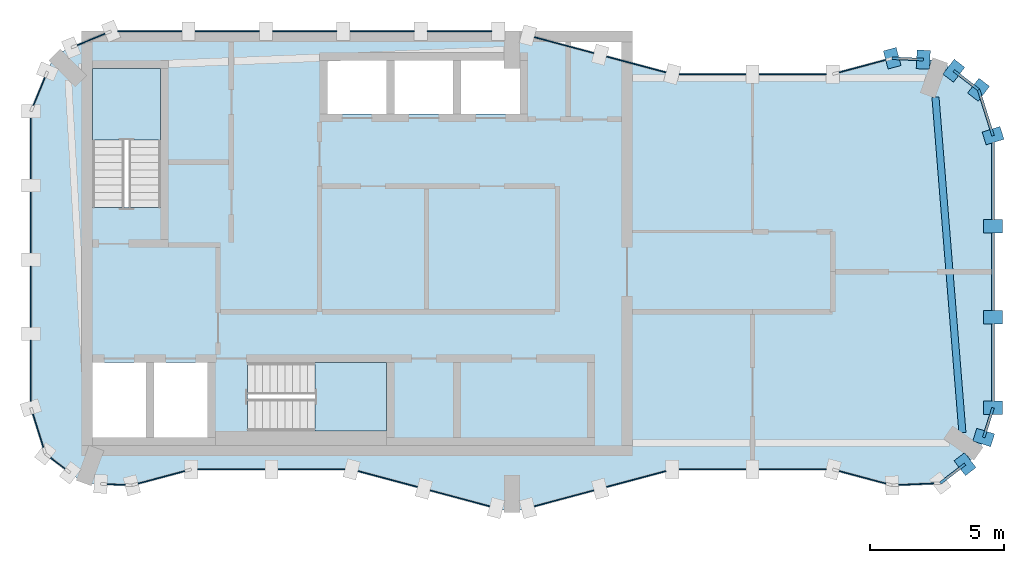
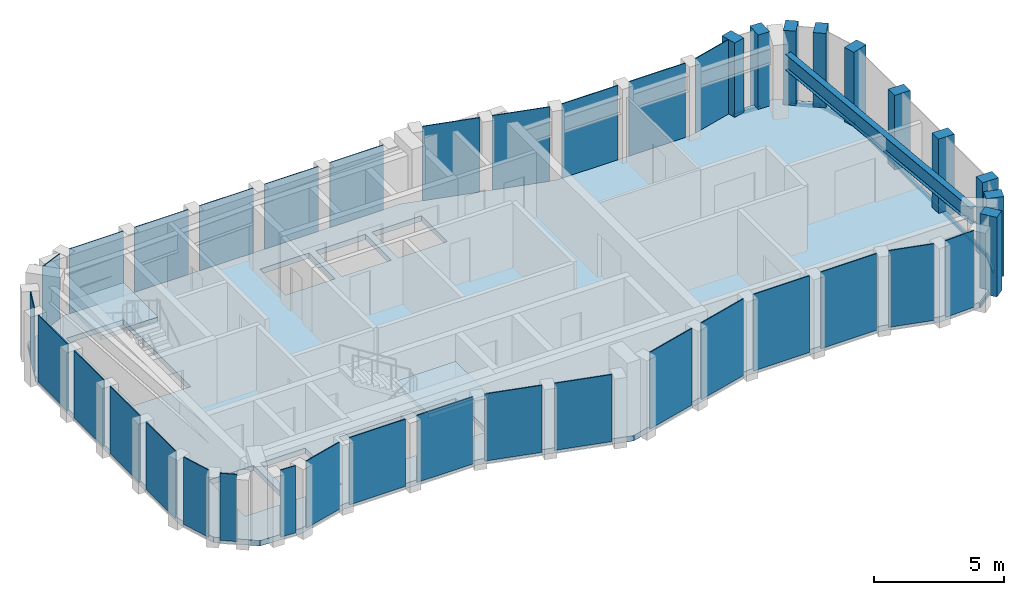
# One storey, part 2 of 5: 30 plates, 16 members, 3 slabs, 1 beam, 25 elements without a shape of their own.
"""IFC4 building model written with IfcOpenShell, lengths in metres."""

from ifc_helpers import new_model, si_unit, direction, frame, origin, origin_2d, place, context, subcontext, project, spatial, polyline, rectangle, i_section, outline, extrude, material, layer, layer_set, material_profile, profile_set, type_object, element, aggregate, save


model = new_model("IFC4")

# Units and contexts
model_context = context("Model", 3, precision=1e-05, world=origin(), true_north=direction((0.0, 1.0)))
body_context = subcontext(model_context, "Body", "Model", "MODEL_VIEW")
ifc_project = project(units=[si_unit("LENGTHUNIT", "METRE"), si_unit("AREAUNIT", "SQUARE_METRE"), si_unit("VOLUMEUNIT", "CUBIC_METRE"), si_unit("PLANEANGLEUNIT", "RADIAN"), si_unit("MASSUNIT", "GRAM", prefix="KILO")], contexts=[model_context])

# Site, building, storey
site_placement = place(None, origin())
site = spatial("IfcSite", under=ifc_project, at=site_placement, CompositionType="ELEMENT")
building_placement = place(site_placement, origin())
building = spatial("IfcBuilding", under=site, at=building_placement, Name="Plateau Cross Towers", CompositionType="ELEMENT")
storey_placement = place(building_placement, frame((0.0, 0.0, 298.39990234375)))
storey = spatial("IfcBuildingStorey", under=building, at=storey_placement, Name="L79 Crown 2", CompositionType="ELEMENT", Elevation=298.39990234375)

# Beam
ifc_material_1 = material(Name="Steel S355", Category="steel")
ifc_material_profile_1 = material_profile(ifc_material_1, i_section(OverallWidth=0.26513671875, OverallDepth=0.75390625, WebThickness=0.0126953125, FlangeThickness=0.017578125, FilletRadius=0.0166015625, at=origin_2d()), Name="UB 762x267x147")
ifc_profile_set_1 = profile_set([ifc_material_profile_1], Name="Steel S355")
beam_type = type_object("IfcBeamType", Name="Crown ring beam UB 762x267x147", PredefinedType="BEAM", material=ifc_profile_set_1)
beam_placement = place(storey_placement, frame((34.85302734375, 2.97802734375, 2.673095703125), z_axis=(-0.080067998508, 0.996789403844, 0.0), x_axis=(-0.996789403844, -0.080067998508, 0.0)))
element("IfcBeam", 1, at=beam_placement, inside=storey, type_object=beam_type, Name="CRB-L79 Crown 2-02", PredefinedType="BEAM", context=body_context, shape_type="SweptSolid", body=[
    extrude(i_section(OverallWidth=0.26513671875, OverallDepth=0.75390625, WebThickness=0.0126953125, FlangeThickness=0.017578125, FilletRadius=0.0166015625, at=origin_2d()), origin(), (0.0, 0.0, 1.0), 12.59619140625),
])

# Curtain wall, member
ifc_material_2 = material(Name="Dark low-iron glass", Category="glass")
ifc_layer_1 = layer(ifc_material_2, 0.800048828125)
ifc_layer_set_1 = layer_set([ifc_layer_1], Name="Dark low-iron glass")
curtain_wall_type = type_object("IfcCurtainWallType", Name="Curtain wall sky lounge CW-D", PredefinedType="NOTDEFINED", material=ifc_layer_set_1)
curtain_wall_1_placement = place(storey_placement, origin())
curtain_wall_1 = element("IfcCurtainWall", 2, at=curtain_wall_1_placement, inside=storey, type_object=curtain_wall_type, Name="ENV/A/L79 Crown 2/A340_11", PredefinedType="NOTDEFINED")
ifc_material_3 = material(Name="Black anodised aluminium", Category="aluminium")
ifc_material_profile_2 = material_profile(ifc_material_3, rectangle(XDim=0.5, YDim=0.699951171875, at=origin_2d()), Name="MULLION 500x700")
ifc_profile_set_2 = profile_set([ifc_material_profile_2], Name="Black anodised aluminium")
member_type_1 = type_object("IfcMemberType", Name="Mullion 500x700 sky lounge", PredefinedType="MULLION", material=ifc_profile_set_2)
member_1_placement = place(storey_placement, frame((34.951416015625, 1.800048828125, -0.25), z_axis=(0.0, 0.0, 1.0), x_axis=(0.793315514529, 0.608810721331, 0.0)))
member_1 = element("IfcMember", 3, at=member_1_placement, type_object=member_type_1, Name="CW-D mullion 2", PredefinedType="MULLION", context=body_context, shape_type="SweptSolid", body=[
    extrude(rectangle(XDim=0.5, YDim=0.699951171875, at=origin_2d()), origin(), (0.0, 0.0, 1.0), 3.75),
])

curtain_wall_2_placement = place(storey_placement, origin())
curtain_wall_2 = element("IfcCurtainWall", 4, at=curtain_wall_2_placement, inside=storey, type_object=curtain_wall_type, Name="ENV/A/L79 Crown 2/A356_28", PredefinedType="NOTDEFINED")
member_2_placement = place(storey_placement, frame((35.6494140625, 2.796875, -0.25), z_axis=(0.0, 0.0, 1.0), x_axis=(0.300686174994, 0.95372313811, 0.0)))
member_2 = element("IfcMember", 5, at=member_2_placement, type_object=member_type_1, Name="CW-D mullion 1", PredefinedType="MULLION", context=body_context, shape_type="SweptSolid", body=[
    extrude(rectangle(XDim=0.5, YDim=0.699951171875, at=origin_2d()), origin(), (0.0, 0.0, 1.0), 3.75),
])

# Curtain wall, members
curtain_wall_3_placement = place(storey_placement, origin())
curtain_wall_3 = element("IfcCurtainWall", 6, at=curtain_wall_3_placement, inside=storey, type_object=curtain_wall_type, Name="ENV/A/L79 Crown 2/A360_39", PredefinedType="NOTDEFINED")
member_3_placement = place(storey_placement, frame((36.0, 3.9091796875, -0.25), z_axis=(0.0, 0.0, 1.0), x_axis=(0.0, 1.0, 0.0)))
member_3 = element("IfcMember", 7, at=member_3_placement, type_object=member_type_1, Name="CW-D mullion 1", PredefinedType="MULLION", context=body_context, shape_type="SweptSolid", body=[
    extrude(rectangle(XDim=0.5, YDim=0.699951171875, at=origin_2d()), origin(), (0.0, 0.0, 1.0), 3.75),
])
member_4_placement = place(storey_placement, frame((36.0, 7.302978515625, -0.25), z_axis=(0.0, 0.0, 1.0), x_axis=(0.0, 1.0, 0.0)))
member_4 = element("IfcMember", 8, at=member_4_placement, type_object=member_type_1, Name="CW-D mullion 2", PredefinedType="MULLION", context=body_context, shape_type="SweptSolid", body=[
    extrude(rectangle(XDim=0.5, YDim=0.699951171875, at=origin_2d()), origin(), (0.0, 0.0, 1.0), 3.75),
])
member_5_placement = place(storey_placement, frame((36.0, 10.697021484375, -0.25), z_axis=(0.0, 0.0, 1.0), x_axis=(0.0, 1.0, 0.0)))
member_5 = element("IfcMember", 9, at=member_5_placement, type_object=member_type_1, Name="CW-D mullion 3", PredefinedType="MULLION", context=body_context, shape_type="SweptSolid", body=[
    extrude(rectangle(XDim=0.5, YDim=0.699951171875, at=origin_2d()), origin(), (0.0, 0.0, 1.0), 3.75),
])

# Curtain wall, member
curtain_wall_4_placement = place(storey_placement, origin())
curtain_wall_4 = element("IfcCurtainWall", 10, at=curtain_wall_4_placement, inside=storey, type_object=curtain_wall_type, Name="ENV/A/L79 Crown 2/A360_141", PredefinedType="NOTDEFINED")
member_6_placement = place(storey_placement, frame((36.0, 14.0908203125, -0.25), z_axis=(0.0, 0.0, 1.0), x_axis=(-0.300686174994, 0.95372313811, 0.0)))
member_6 = element("IfcMember", 11, at=member_6_placement, type_object=member_type_1, Name="CW-D mullion 1", PredefinedType="MULLION", context=body_context, shape_type="SweptSolid", body=[
    extrude(rectangle(XDim=0.5, YDim=0.699951171875, at=origin_2d()), origin(), (0.0, 0.0, 1.0), 3.75),
])

# Curtain wall, members
curtain_wall_5_placement = place(storey_placement, origin())
curtain_wall_5 = element("IfcCurtainWall", 12, at=curtain_wall_5_placement, inside=storey, type_object=curtain_wall_type, Name="ENV/A/L79 Crown 2/A355_158", PredefinedType="NOTDEFINED")
member_7_placement = place(storey_placement, frame((35.45751953125, 15.8115234375, -0.25), z_axis=(0.0, 0.0, 1.0), x_axis=(-0.793315514529, 0.608810721331, 0.0)))
member_7 = element("IfcMember", 13, at=member_7_placement, type_object=member_type_1, Name="CW-D mullion 1", PredefinedType="MULLION", context=body_context, shape_type="SweptSolid", body=[
    extrude(rectangle(XDim=0.5, YDim=0.699951171875, at=origin_2d()), origin(), (0.0, 0.0, 1.0), 3.75),
])
member_8_placement = place(storey_placement, frame((34.532470703125, 16.521484375, -0.25), z_axis=(0.0, 0.0, 1.0), x_axis=(-0.793315514529, 0.608810721331, 0.0)))
member_8 = element("IfcMember", 14, at=member_8_placement, type_object=member_type_1, Name="CW-D mullion 2", PredefinedType="MULLION", context=body_context, shape_type="SweptSolid", body=[
    extrude(rectangle(XDim=0.5, YDim=0.699951171875, at=origin_2d()), origin(), (0.0, 0.0, 1.0), 3.75),
])

# Curtain wall, member
curtain_wall_6_placement = place(storey_placement, origin())
curtain_wall_6 = element("IfcCurtainWall", 15, at=curtain_wall_6_placement, inside=storey, type_object=curtain_wall_type, Name="ENV/A/L79 Crown 2/A334_169", PredefinedType="NOTDEFINED")
member_9_placement = place(storey_placement, frame((33.388916015625, 16.937744140625, -0.25), z_axis=(0.0, 0.0, 1.0), x_axis=(-0.999043701491, 0.043722791671, 0.0)))
member_9 = element("IfcMember", 16, at=member_9_placement, type_object=member_type_1, Name="CW-D mullion 1", PredefinedType="MULLION", context=body_context, shape_type="SweptSolid", body=[
    extrude(rectangle(XDim=0.5, YDim=0.699951171875, at=origin_2d()), origin(), (0.0, 0.0, 1.0), 3.75),
])

curtain_wall_7_placement = place(storey_placement, origin())
curtain_wall_7 = element("IfcCurtainWall", 17, at=curtain_wall_7_placement, inside=storey, type_object=curtain_wall_type, Name="ENV/A/L79 Crown 2/A322_170", PredefinedType="NOTDEFINED")
member_10_placement = place(storey_placement, frame((32.223876953125, 16.98876953125, -0.25), z_axis=(0.0, 0.0, 1.0), x_axis=(-0.965957962328, -0.258699081978, 0.0)))
member_10 = element("IfcMember", 18, at=member_10_placement, type_object=member_type_1, Name="CW-D mullion 1", PredefinedType="MULLION", context=body_context, shape_type="SweptSolid", body=[
    extrude(rectangle(XDim=0.5, YDim=0.699951171875, at=origin_2d()), origin(), (0.0, 0.0, 1.0), 3.75),
])

# Member
ifc_material_profile_3 = material_profile(ifc_material_3, rectangle(XDim=0.10009765625, YDim=0.139892578125, at=origin_2d()), Name="TRANSOM 100x140")
ifc_profile_set_3 = profile_set([ifc_material_profile_3], Name="Black anodised aluminium")
member_type_2 = type_object("IfcMemberType", Name="Transom 100x140 sky lounge", PredefinedType="USERDEFINED", material=ifc_profile_set_3)
member_11_placement = place(storey_placement, frame((34.0263671875, 1.090087890625, -0.179931640625), z_axis=(0.793292864311, 0.608840234736, 0.0), x_axis=(-0.608840234736, 0.793292864311, 0.0)))
member_11 = element("IfcMember", 19, at=member_11_placement, type_object=member_type_2, Name="CW-D transom", ObjectType="TRANSOM", PredefinedType="USERDEFINED", context=body_context, shape_type="SweptSolid", body=[
    extrude(rectangle(XDim=0.10009765625, YDim=0.139892578125, at=origin_2d()), origin(), (0.0, 0.0, 1.0), 1.166015625),
])

aggregate(curtain_wall_1, [member_1, member_11])

member_12_placement = place(storey_placement, frame((35.6494140625, 2.796875, -0.179931640625), z_axis=(0.300610349145, 0.95374704088, 0.0), x_axis=(-0.95374704088, 0.300610349145, 0.0)))
member_12 = element("IfcMember", 20, at=member_12_placement, type_object=member_type_2, Name="CW-D transom", ObjectType="TRANSOM", PredefinedType="USERDEFINED", context=body_context, shape_type="SweptSolid", body=[
    extrude(rectangle(XDim=0.10009765625, YDim=0.139892578125, at=origin_2d()), origin(), (0.0, 0.0, 1.0), 1.166259765625),
])

aggregate(curtain_wall_2, [member_2, member_12])

member_13_placement = place(storey_placement, frame((36.0, 3.9091796875, -0.179931640625), z_axis=(0.0, 1.0, 0.0), x_axis=(-1.0, 0.0, 0.0)))
member_13 = element("IfcMember", 21, at=member_13_placement, type_object=member_type_2, Name="CW-D transom", ObjectType="TRANSOM", PredefinedType="USERDEFINED", context=body_context, shape_type="SweptSolid", body=[
    extrude(rectangle(XDim=0.10009765625, YDim=0.139892578125, at=origin_2d()), origin(), (0.0, 0.0, 1.0), 10.181640625),
])

aggregate(curtain_wall_3, [member_3, member_4, member_5, member_13])

member_14_placement = place(storey_placement, frame((36.0, 14.0908203125, -0.179931640625), z_axis=(-0.30067799945, 0.953725715626, 0.0), x_axis=(-0.953725715626, -0.30067799945, 0.0)))
member_14 = element("IfcMember", 22, at=member_14_placement, type_object=member_type_2, Name="CW-D transom", ObjectType="TRANSOM", PredefinedType="USERDEFINED", context=body_context, shape_type="SweptSolid", body=[
    extrude(rectangle(XDim=0.10009765625, YDim=0.139892578125, at=origin_2d()), origin(), (0.0, 0.0, 1.0), 1.80419921875),
])

aggregate(curtain_wall_4, [member_6, member_14])

member_15_placement = place(storey_placement, frame((35.45751953125, 15.8115234375, -0.179931640625), z_axis=(-0.793292864311, 0.608840234736, 0.0), x_axis=(-0.608840234736, -0.793292864311, 0.0)))
member_15 = element("IfcMember", 23, at=member_15_placement, type_object=member_type_2, Name="CW-D transom", ObjectType="TRANSOM", PredefinedType="USERDEFINED", context=body_context, shape_type="SweptSolid", body=[
    extrude(rectangle(XDim=0.10009765625, YDim=0.139892578125, at=origin_2d()), origin(), (0.0, 0.0, 1.0), 1.166015625),
])

aggregate(curtain_wall_5, [member_7, member_8, member_15])

member_16_placement = place(storey_placement, frame((33.388916015625, 16.937744140625, -0.179931640625), z_axis=(-0.999042282418, 0.043755204741, 0.0), x_axis=(-0.043755204741, -0.999042282418, 0.0)))
member_16 = element("IfcMember", 24, at=member_16_placement, type_object=member_type_2, Name="CW-D transom", ObjectType="TRANSOM", PredefinedType="USERDEFINED", context=body_context, shape_type="SweptSolid", body=[
    extrude(rectangle(XDim=0.10009765625, YDim=0.139892578125, at=origin_2d()), origin(), (0.0, 0.0, 1.0), 1.166259765625),
])

aggregate(curtain_wall_6, [member_9, member_16])

# Curtain wall, plate
curtain_wall_8_placement = place(storey_placement, origin())
curtain_wall_8 = element("IfcCurtainWall", 25, at=curtain_wall_8_placement, inside=storey, type_object=curtain_wall_type, Name="ENV/A/L79 Crown 2/A38_10", PredefinedType="NOTDEFINED")
ifc_layer_2 = layer(ifc_material_2, 0.0400390625)
ifc_layer_set_2 = layer_set([ifc_layer_2], Name="Dark low-iron glass")
plate_type = type_object("IfcPlateType", Name="Glass panel 40 sky lounge", PredefinedType="CURTAIN_PANEL", material=ifc_layer_set_2)
plate_1_placement = place(storey_placement, frame((4.887939453125, 1.30908203125, -0.10986328125), z_axis=(0.0, 0.0, 1.0), x_axis=(0.965957962328, 0.258699081978, 0.0)))
plate_1 = element("IfcPlate", 26, at=plate_1_placement, type_object=plate_type, Name="CW-D panel 1", PredefinedType="CURTAIN_PANEL", context=body_context, shape_type="SweptSolid", body=[
    extrude(rectangle(XDim=1.80224609375, YDim=0.0400390625, at=origin_2d()), origin(), (0.0, 0.0, 1.0), 3.159912109375),
])
aggregate(curtain_wall_8, [plate_1])

# Curtain wall, plates
curtain_wall_9_placement = place(storey_placement, origin())
curtain_wall_9 = element("IfcCurtainWall", 27, at=curtain_wall_9_placement, inside=storey, type_object=curtain_wall_type, Name="ENV/A/L79 Crown 2/A60_16", PredefinedType="NOTDEFINED")
plate_2_placement = place(storey_placement, frame((7.5, 1.60693359375, -0.10986328125), z_axis=(0.0, 0.0, 1.0), x_axis=(1.0, 0.0, 0.0)))
plate_2 = element("IfcPlate", 28, at=plate_2_placement, type_object=plate_type, Name="CW-D panel 1", PredefinedType="CURTAIN_PANEL", context=body_context, shape_type="SweptSolid", body=[
    extrude(rectangle(XDim=2.5, YDim=0.0400390625, at=origin_2d()), origin(), (0.0, 0.0, 1.0), 3.159912109375),
])
plate_3_placement = place(storey_placement, frame((10.5, 1.60693359375, -0.10986328125), z_axis=(0.0, 0.0, 1.0), x_axis=(1.0, 0.0, 0.0)))
plate_3 = element("IfcPlate", 29, at=plate_3_placement, type_object=plate_type, Name="CW-D panel 2", PredefinedType="CURTAIN_PANEL", context=body_context, shape_type="SweptSolid", body=[
    extrude(rectangle(XDim=2.5, YDim=0.0400390625, at=origin_2d()), origin(), (0.0, 0.0, 1.0), 3.159912109375),
])
aggregate(curtain_wall_9, [plate_2, plate_3])

curtain_wall_10_placement = place(storey_placement, origin())
curtain_wall_10 = element("IfcCurtainWall", 30, at=curtain_wall_10_placement, inside=storey, type_object=curtain_wall_type, Name="ENV/A/L79 Crown 2/A120_16", PredefinedType="NOTDEFINED")
plate_4_placement = place(storey_placement, frame((13.350830078125, 1.2451171875, -0.10986328125), z_axis=(0.0, 0.0, 1.0), x_axis=(0.965957983404, -0.258699003279, 0.0)))
plate_4 = element("IfcPlate", 31, at=plate_4_placement, type_object=plate_type, Name="CW-D panel 1", PredefinedType="CURTAIN_PANEL", context=body_context, shape_type="SweptSolid", body=[
    extrude(rectangle(XDim=2.296875, YDim=0.0400390625, at=origin_2d()), origin(), (0.0, 0.0, 1.0), 3.159912109375),
])
plate_5_placement = place(storey_placement, frame((16.05224609375, 0.521728515625, -0.10986328125), z_axis=(0.0, 0.0, 1.0), x_axis=(0.965957983404, -0.258699003279, 0.0)))
plate_5 = element("IfcPlate", 32, at=plate_5_placement, type_object=plate_type, Name="CW-D panel 2", PredefinedType="CURTAIN_PANEL", context=body_context, shape_type="SweptSolid", body=[
    extrude(rectangle(XDim=2.296875, YDim=0.0400390625, at=origin_2d()), origin(), (0.0, 0.0, 1.0), 3.159912109375),
])
aggregate(curtain_wall_10, [plate_4, plate_5])

curtain_wall_11_placement = place(storey_placement, origin())
curtain_wall_11 = element("IfcCurtainWall", 33, at=curtain_wall_11_placement, inside=storey, type_object=curtain_wall_type, Name="ENV/A/L79 Crown 2/A186_2", PredefinedType="NOTDEFINED")
plate_6_placement = place(storey_placement, frame((19.94775390625, 0.521728515625, -0.10986328125), z_axis=(0.0, 0.0, 1.0), x_axis=(0.965957983404, 0.258699003279, 0.0)))
plate_6 = element("IfcPlate", 34, at=plate_6_placement, type_object=plate_type, Name="CW-D panel 1", PredefinedType="CURTAIN_PANEL", context=body_context, shape_type="SweptSolid", body=[
    extrude(rectangle(XDim=2.296875, YDim=0.0400390625, at=origin_2d()), origin(), (0.0, 0.0, 1.0), 3.610107421875),
])
plate_7_placement = place(storey_placement, frame((22.649169921875, 1.2451171875, -0.10986328125), z_axis=(0.0, 0.0, 1.0), x_axis=(0.965957983404, 0.258699003279, 0.0)))
plate_7 = element("IfcPlate", 35, at=plate_7_placement, type_object=plate_type, Name="CW-D panel 2", PredefinedType="CURTAIN_PANEL", context=body_context, shape_type="SweptSolid", body=[
    extrude(rectangle(XDim=2.296875, YDim=0.0400390625, at=origin_2d()), origin(), (0.0, 0.0, 1.0), 3.610107421875),
])
aggregate(curtain_wall_11, [plate_6, plate_7])

curtain_wall_12_placement = place(storey_placement, origin())
curtain_wall_12 = element("IfcCurtainWall", 36, at=curtain_wall_12_placement, inside=storey, type_object=curtain_wall_type, Name="ENV/A/L79 Crown 2/A240_16", PredefinedType="NOTDEFINED")
plate_8_placement = place(storey_placement, frame((25.5, 1.60693359375, -0.10986328125), z_axis=(0.0, 0.0, 1.0), x_axis=(1.0, 0.0, 0.0)))
plate_8 = element("IfcPlate", 37, at=plate_8_placement, type_object=plate_type, Name="CW-D panel 1", PredefinedType="CURTAIN_PANEL", context=body_context, shape_type="SweptSolid", body=[
    extrude(rectangle(XDim=2.5, YDim=0.0400390625, at=origin_2d()), origin(), (0.0, 0.0, 1.0), 3.610107421875),
])
plate_9_placement = place(storey_placement, frame((28.5, 1.60693359375, -0.10986328125), z_axis=(0.0, 0.0, 1.0), x_axis=(1.0, 0.0, 0.0)))
plate_9 = element("IfcPlate", 38, at=plate_9_placement, type_object=plate_type, Name="CW-D panel 2", PredefinedType="CURTAIN_PANEL", context=body_context, shape_type="SweptSolid", body=[
    extrude(rectangle(XDim=2.5, YDim=0.0400390625, at=origin_2d()), origin(), (0.0, 0.0, 1.0), 3.610107421875),
])
aggregate(curtain_wall_12, [plate_8, plate_9])

# Curtain wall, plate
curtain_wall_13_placement = place(storey_placement, origin())
curtain_wall_13 = element("IfcCurtainWall", 39, at=curtain_wall_13_placement, inside=storey, type_object=curtain_wall_type, Name="ENV/A/L79 Crown 2/A300_16", PredefinedType="NOTDEFINED")
plate_10_placement = place(storey_placement, frame((31.112060546875, 1.30908203125, -0.10986328125), z_axis=(0.0, 0.0, 1.0), x_axis=(0.965957962328, -0.258699081978, 0.0)))
plate_10 = element("IfcPlate", 40, at=plate_10_placement, type_object=plate_type, Name="CW-D panel 1", PredefinedType="CURTAIN_PANEL", context=body_context, shape_type="SweptSolid", body=[
    extrude(rectangle(XDim=1.80224609375, YDim=0.0400390625, at=origin_2d()), origin(), (0.0, 0.0, 1.0), 3.610107421875),
])
aggregate(curtain_wall_13, [plate_10])

curtain_wall_14_placement = place(storey_placement, origin())
curtain_wall_14 = element("IfcCurtainWall", 41, at=curtain_wall_14_placement, inside=storey, type_object=curtain_wall_type, Name="ENV/A/L79 Crown 2/A322_10", PredefinedType="NOTDEFINED")
plate_11_placement = place(storey_placement, frame((33.125, 1.05078125, -0.10986328125), z_axis=(0.0, 0.0, 1.0), x_axis=(0.999043701491, 0.043722791671, 0.0)))
plate_11 = element("IfcPlate", 42, at=plate_11_placement, type_object=plate_type, Name="CW-D panel 1", PredefinedType="CURTAIN_PANEL", context=body_context, shape_type="SweptSolid", body=[
    extrude(rectangle(XDim=1.30419921875, YDim=0.0400390625, at=origin_2d()), origin(), (0.0, 0.0, 1.0), 3.610107421875),
])
aggregate(curtain_wall_14, [plate_11])

# Plate
plate_12_placement = place(storey_placement, frame((31.112060546875, 16.69091796875, -0.10986328125), z_axis=(0.0, 0.0, 1.0), x_axis=(-0.965957962328, -0.258699081978, 0.0)))
plate_12 = element("IfcPlate", 43, at=plate_12_placement, type_object=plate_type, Name="CW-D panel 1", PredefinedType="CURTAIN_PANEL", context=body_context, shape_type="SweptSolid", body=[
    extrude(rectangle(XDim=1.80224609375, YDim=0.0400390625, at=origin_2d()), origin(), (0.0, 0.0, 1.0), 3.610107421875),
])

aggregate(curtain_wall_7, [member_10, plate_12])

# Curtain wall, plates
curtain_wall_15_placement = place(storey_placement, origin())
curtain_wall_15 = element("IfcCurtainWall", 44, at=curtain_wall_15_placement, inside=storey, type_object=curtain_wall_type, Name="ENV/A/L79 Crown 2/A300_164", PredefinedType="NOTDEFINED")
plate_13_placement = place(storey_placement, frame((28.5, 16.39306640625, -0.10986328125), z_axis=(0.0, 0.0, 1.0), x_axis=(-1.0, 0.0, 0.0)))
plate_13 = element("IfcPlate", 45, at=plate_13_placement, type_object=plate_type, Name="CW-D panel 1", PredefinedType="CURTAIN_PANEL", context=body_context, shape_type="SweptSolid", body=[
    extrude(rectangle(XDim=2.5, YDim=0.0400390625, at=origin_2d()), origin(), (0.0, 0.0, 1.0), 3.610107421875),
])
plate_14_placement = place(storey_placement, frame((25.5, 16.39306640625, -0.10986328125), z_axis=(0.0, 0.0, 1.0), x_axis=(-1.0, 0.0, 0.0)))
plate_14 = element("IfcPlate", 46, at=plate_14_placement, type_object=plate_type, Name="CW-D panel 2", PredefinedType="CURTAIN_PANEL", context=body_context, shape_type="SweptSolid", body=[
    extrude(rectangle(XDim=2.5, YDim=0.0400390625, at=origin_2d()), origin(), (0.0, 0.0, 1.0), 3.610107421875),
])
aggregate(curtain_wall_15, [plate_13, plate_14])

curtain_wall_16_placement = place(storey_placement, origin())
curtain_wall_16 = element("IfcCurtainWall", 47, at=curtain_wall_16_placement, inside=storey, type_object=curtain_wall_type, Name="ENV/A/L79 Crown 2/A240_164", PredefinedType="NOTDEFINED")
plate_15_placement = place(storey_placement, frame((22.649169921875, 16.7548828125, -0.10986328125), z_axis=(0.0, 0.0, 1.0), x_axis=(-0.965957983404, 0.258699003279, 0.0)))
plate_15 = element("IfcPlate", 48, at=plate_15_placement, type_object=plate_type, Name="CW-D panel 1", PredefinedType="CURTAIN_PANEL", context=body_context, shape_type="SweptSolid", body=[
    extrude(rectangle(XDim=2.296875, YDim=0.0400390625, at=origin_2d()), origin(), (0.0, 0.0, 1.0), 3.610107421875),
])
plate_16_placement = place(storey_placement, frame((19.94775390625, 17.478271484375, -0.10986328125), z_axis=(0.0, 0.0, 1.0), x_axis=(-0.965957983404, 0.258699003279, 0.0)))
plate_16 = element("IfcPlate", 49, at=plate_16_placement, type_object=plate_type, Name="CW-D panel 2", PredefinedType="CURTAIN_PANEL", context=body_context, shape_type="SweptSolid", body=[
    extrude(rectangle(XDim=2.296875, YDim=0.0400390625, at=origin_2d()), origin(), (0.0, 0.0, 1.0), 3.610107421875),
])
aggregate(curtain_wall_16, [plate_15, plate_16])

curtain_wall_17_placement = place(storey_placement, origin())
curtain_wall_17 = element("IfcCurtainWall", 50, at=curtain_wall_17_placement, inside=storey, type_object=curtain_wall_type, Name="ENV/A/L79 Crown 2/A175_180", PredefinedType="NOTDEFINED")
plate_17_placement = place(storey_placement, frame((16.03662109375, 18.0, -0.10986328125), z_axis=(0.0, 0.0, 1.0), x_axis=(-1.0, 0.0, 0.0)))
plate_17 = element("IfcPlate", 51, at=plate_17_placement, type_object=plate_type, Name="CW-D panel 1", PredefinedType="CURTAIN_PANEL", context=body_context, shape_type="SweptSolid", body=[
    extrude(rectangle(XDim=2.39697265625, YDim=0.0400390625, at=origin_2d()), origin(), (0.0, 0.0, 1.0), 3.159912109375),
])
plate_18_placement = place(storey_placement, frame((13.139404296875, 18.0, -0.10986328125), z_axis=(0.0, 0.0, 1.0), x_axis=(-1.0, 0.0, 0.0)))
plate_18 = element("IfcPlate", 52, at=plate_18_placement, type_object=plate_type, Name="CW-D panel 2", PredefinedType="CURTAIN_PANEL", context=body_context, shape_type="SweptSolid", body=[
    extrude(rectangle(XDim=2.39697265625, YDim=0.0400390625, at=origin_2d()), origin(), (0.0, 0.0, 1.0), 3.159912109375),
])
plate_19_placement = place(storey_placement, frame((10.242431640625, 18.0, -0.10986328125), z_axis=(0.0, 0.0, 1.0), x_axis=(-1.0, 0.0, 0.0)))
plate_19 = element("IfcPlate", 53, at=plate_19_placement, type_object=plate_type, Name="CW-D panel 3", PredefinedType="CURTAIN_PANEL", context=body_context, shape_type="SweptSolid", body=[
    extrude(rectangle(XDim=2.39697265625, YDim=0.0400390625, at=origin_2d()), origin(), (0.0, 0.0, 1.0), 3.159912109375),
])
plate_20_placement = place(storey_placement, frame((7.345458984375, 18.0, -0.10986328125), z_axis=(0.0, 0.0, 1.0), x_axis=(-1.0, 0.0, 0.0)))
plate_20 = element("IfcPlate", 54, at=plate_20_placement, type_object=plate_type, Name="CW-D panel 4", PredefinedType="CURTAIN_PANEL", context=body_context, shape_type="SweptSolid", body=[
    extrude(rectangle(XDim=2.39697265625, YDim=0.0400390625, at=origin_2d()), origin(), (0.0, 0.0, 1.0), 3.159912109375),
])
plate_21_placement = place(storey_placement, frame((4.448486328125, 18.0, -0.10986328125), z_axis=(0.0, 0.0, 1.0), x_axis=(-1.0, 0.0, 0.0)))
plate_21 = element("IfcPlate", 55, at=plate_21_placement, type_object=plate_type, Name="CW-D panel 5", PredefinedType="CURTAIN_PANEL", context=body_context, shape_type="SweptSolid", body=[
    extrude(rectangle(XDim=2.39697265625, YDim=0.0400390625, at=origin_2d()), origin(), (0.0, 0.0, 1.0), 3.159912109375),
])
aggregate(curtain_wall_17, [plate_17, plate_18, plate_19, plate_20, plate_21])

# Curtain wall, plate
curtain_wall_18_placement = place(storey_placement, origin())
curtain_wall_18 = element("IfcCurtainWall", 56, at=curtain_wall_18_placement, inside=storey, type_object=curtain_wall_type, Name="ENV/A/L79 Crown 2/A30_180", PredefinedType="NOTDEFINED")
plate_22_placement = place(storey_placement, frame((2.254150390625, 17.69091796875, -0.10986328125), z_axis=(0.0, 0.0, 1.0), x_axis=(-0.923879457699, -0.382683612978, 0.0)))
plate_22 = element("IfcPlate", 57, at=plate_22_placement, type_object=plate_type, Name="CW-D panel 1", PredefinedType="CURTAIN_PANEL", context=body_context, shape_type="SweptSolid", body=[
    extrude(rectangle(XDim=1.11474609375, YDim=0.0400390625, at=origin_2d()), origin(), (0.0, 0.0, 1.0), 3.159912109375),
])
aggregate(curtain_wall_18, [plate_22])

curtain_wall_19_placement = place(storey_placement, origin())
curtain_wall_19 = element("IfcCurtainWall", 58, at=curtain_wall_19_placement, inside=storey, type_object=curtain_wall_type, Name="ENV/A/L79 Crown 2/A6_165", PredefinedType="NOTDEFINED")
plate_23_placement = place(storey_placement, frame((0.30908203125, 15.745849609375, -0.10986328125), z_axis=(0.0, 0.0, 1.0), x_axis=(-0.382683612978, -0.923879457699, 0.0)))
plate_23 = element("IfcPlate", 59, at=plate_23_placement, type_object=plate_type, Name="CW-D panel 1", PredefinedType="CURTAIN_PANEL", context=body_context, shape_type="SweptSolid", body=[
    extrude(rectangle(XDim=1.11474609375, YDim=0.0400390625, at=origin_2d()), origin(), (0.0, 0.0, 1.0), 3.159912109375),
])
aggregate(curtain_wall_19, [plate_23])

# Curtain wall, plates
curtain_wall_20_placement = place(storey_placement, origin())
curtain_wall_20 = element("IfcCurtainWall", 60, at=curtain_wall_20_placement, inside=storey, type_object=curtain_wall_type, Name="ENV/A/L79 Crown 2/A0_150", PredefinedType="NOTDEFINED")
plate_24_placement = place(storey_placement, frame((0.0, 13.613525390625, -0.10986328125), z_axis=(0.0, 0.0, 1.0), x_axis=(0.0, -1.0, 0.0)))
plate_24 = element("IfcPlate", 61, at=plate_24_placement, type_object=plate_type, Name="CW-D panel 1", PredefinedType="CURTAIN_PANEL", context=body_context, shape_type="SweptSolid", body=[
    extrude(rectangle(XDim=2.272705078125, YDim=0.0400390625, at=origin_2d()), origin(), (0.0, 0.0, 1.0), 3.159912109375),
])
plate_25_placement = place(storey_placement, frame((0.0, 10.8408203125, -0.10986328125), z_axis=(0.0, 0.0, 1.0), x_axis=(0.0, -1.0, 0.0)))
plate_25 = element("IfcPlate", 62, at=plate_25_placement, type_object=plate_type, Name="CW-D panel 2", PredefinedType="CURTAIN_PANEL", context=body_context, shape_type="SweptSolid", body=[
    extrude(rectangle(XDim=2.272705078125, YDim=0.0400390625, at=origin_2d()), origin(), (0.0, 0.0, 1.0), 3.159912109375),
])
plate_26_placement = place(storey_placement, frame((0.0, 8.068115234375, -0.10986328125), z_axis=(0.0, 0.0, 1.0), x_axis=(0.0, -1.0, 0.0)))
plate_26 = element("IfcPlate", 63, at=plate_26_placement, type_object=plate_type, Name="CW-D panel 3", PredefinedType="CURTAIN_PANEL", context=body_context, shape_type="SweptSolid", body=[
    extrude(rectangle(XDim=2.272705078125, YDim=0.0400390625, at=origin_2d()), origin(), (0.0, 0.0, 1.0), 3.159912109375),
])
plate_27_placement = place(storey_placement, frame((0.0, 5.29541015625, -0.10986328125), z_axis=(0.0, 0.0, 1.0), x_axis=(0.0, -1.0, 0.0)))
plate_27 = element("IfcPlate", 64, at=plate_27_placement, type_object=plate_type, Name="CW-D panel 4", PredefinedType="CURTAIN_PANEL", context=body_context, shape_type="SweptSolid", body=[
    extrude(rectangle(XDim=2.272705078125, YDim=0.0400390625, at=origin_2d()), origin(), (0.0, 0.0, 1.0), 3.159912109375),
])
aggregate(curtain_wall_20, [plate_24, plate_25, plate_26, plate_27])

# Curtain wall, plate
curtain_wall_21_placement = place(storey_placement, origin())
curtain_wall_21 = element("IfcCurtainWall", 65, at=curtain_wall_21_placement, inside=storey, type_object=curtain_wall_type, Name="ENV/A/L79 Crown 2/A0_39", PredefinedType="NOTDEFINED")
plate_28_placement = place(storey_placement, frame((0.271240234375, 3.048828125, -0.10986328125), z_axis=(0.0, 0.0, 1.0), x_axis=(0.300686174994, -0.95372313811, 0.0)))
plate_28 = element("IfcPlate", 66, at=plate_28_placement, type_object=plate_type, Name="CW-D panel 1", PredefinedType="CURTAIN_PANEL", context=body_context, shape_type="SweptSolid", body=[
    extrude(rectangle(XDim=1.30419921875, YDim=0.0400390625, at=origin_2d()), origin(), (0.0, 0.0, 1.0), 3.159912109375),
])
aggregate(curtain_wall_21, [plate_28])

curtain_wall_22_placement = place(storey_placement, origin())
curtain_wall_22 = element("IfcCurtainWall", 67, at=curtain_wall_22_placement, inside=storey, type_object=curtain_wall_type, Name="ENV/A/L79 Crown 2/A5_22", PredefinedType="NOTDEFINED")
plate_29_placement = place(storey_placement, frame((1.005126953125, 1.83349609375, -0.10986328125), z_axis=(0.0, 0.0, 1.0), x_axis=(0.793315514529, -0.608810721331, 0.0)))
plate_29 = element("IfcPlate", 68, at=plate_29_placement, type_object=plate_type, Name="CW-D panel 1", PredefinedType="CURTAIN_PANEL", context=body_context, shape_type="SweptSolid", body=[
    extrude(rectangle(XDim=0.666259765625, YDim=0.0400390625, at=origin_2d()), origin(), (0.0, 0.0, 1.0), 3.159912109375),
])
aggregate(curtain_wall_22, [plate_29])

curtain_wall_23_placement = place(storey_placement, origin())
curtain_wall_23 = element("IfcCurtainWall", 69, at=curtain_wall_23_placement, inside=storey, type_object=curtain_wall_type, Name="ENV/A/L79 Crown 2/A26_11", PredefinedType="NOTDEFINED")
plate_30_placement = place(storey_placement, frame((3.193603515625, 1.036865234375, -0.10986328125), z_axis=(0.0, 0.0, 1.0), x_axis=(0.999043701491, -0.043722791671, 0.0)))
plate_30 = element("IfcPlate", 70, at=plate_30_placement, type_object=plate_type, Name="CW-D panel 1", PredefinedType="CURTAIN_PANEL", context=body_context, shape_type="SweptSolid", body=[
    extrude(rectangle(XDim=0.666259765625, YDim=0.0400390625, at=origin_2d()), origin(), (0.0, 0.0, 1.0), 3.159912109375),
])
aggregate(curtain_wall_23, [plate_30])

# Slab
ifc_material_4 = material(Name="Concrete C40/50", Category="concrete")
ifc_layer_3 = layer(ifc_material_4, 0.25)
ifc_layer_set_3 = layer_set([ifc_layer_3], Name="Concrete C40/50")
slab_type_1 = type_object("IfcSlabType", Name="Post-tensioned flat plate slab 250", PredefinedType="FLOOR", material=ifc_layer_set_3)
slab_1_placement = place(storey_placement, frame((0.0, 0.0, -0.25)))
element("IfcSlab", 71, at=slab_1_placement, inside=storey, type_object=slab_type_1, Name="SL-A-L79 Crown 2", PredefinedType="FLOOR", context=body_context, shape_type="SweptSolid", body=[
    extrude(outline(polyline([(1.9736328125, 1.090087890625), (0.54248046875, 2.1884765625), (0.0, 3.9091796875), (0.0, 15.0), (0.878662109375, 17.121337890625), (3.0, 18.0), (18.0, 18.0), (24.0, 16.39306640625), (30.0, 16.39306640625), (32.223876953125, 16.98876953125), (34.0263671875, 16.909912109375), (35.45751953125, 15.8115234375), (36.0, 14.0908203125), (36.0, 3.9091796875), (35.45751953125, 2.1884765625), (34.0263671875, 1.090087890625), (32.223876953125, 1.01123046875), (30.0, 1.60693359375), (24.0, 1.60693359375), (18.0, 0.0), (12.0, 1.60693359375), (6.0, 1.60693359375), (3.776123046875, 1.01123046875), (1.9736328125, 1.090087890625)]), holes=[polyline([(2.300048828125, 5.60009765625), (2.300048828125, 2.800048828125), (4.300048828125, 2.800048828125), (4.300048828125, 5.60009765625), (2.300048828125, 5.60009765625)]), polyline([(6.60009765625, 5.60009765625), (4.60009765625, 5.60009765625), (4.60009765625, 2.800048828125), (6.60009765625, 2.800048828125), (6.60009765625, 5.60009765625)]), polyline([(13.300048828125, 5.60009765625), (8.10009765625, 5.60009765625), (8.10009765625, 3.050048828125), (13.300048828125, 3.050048828125), (13.300048828125, 5.60009765625)]), polyline([(2.300048828125, 16.60009765625), (2.300048828125, 11.39990234375), (4.85009765625, 11.39990234375), (4.85009765625, 16.60009765625), (2.300048828125, 16.60009765625)]), polyline([(13.300048828125, 16.89990234375), (11.10009765625, 16.89990234375), (11.10009765625, 14.89990234375), (13.300048828125, 14.89990234375), (13.300048828125, 16.89990234375)]), polyline([(15.800048828125, 16.89990234375), (13.60009765625, 16.89990234375), (13.60009765625, 14.89990234375), (15.800048828125, 14.89990234375), (15.800048828125, 16.89990234375)]), polyline([(18.300048828125, 16.89990234375), (16.10009765625, 16.89990234375), (16.10009765625, 14.89990234375), (18.300048828125, 14.89990234375), (18.300048828125, 16.89990234375)])]), origin(), (0.0, 0.0, 1.0), 0.25),
])

# Stair, slab
stair_type = type_object("IfcStairType", Name="ST-TWR", PredefinedType="HALF_TURN_STAIR", material=ifc_material_4)
stair_1_placement = place(storey_placement, origin())
stair_1 = element("IfcStair", 72, at=stair_1_placement, inside=storey, type_object=stair_type, Name="L79 Crown 2 Protected Exit Stair ST-1", PredefinedType="HALF_TURN_STAIR")
ifc_layer_4 = layer(ifc_material_4, 0.199951171875)
ifc_layer_set_4 = layer_set([ifc_layer_4], Name="Concrete C40/50")
slab_type_2 = type_object("IfcSlabType", Name="SL-LANDING", PredefinedType="LANDING", material=ifc_layer_set_4)
slab_2_placement = place(storey_placement, frame((0.0, 0.0, 1.550048828125)))
slab_2 = element("IfcSlab", 73, at=slab_2_placement, type_object=slab_type_2, Name="ST-1 landing 1", PredefinedType="LANDING", context=body_context, shape_type="SweptSolid", body=[
    extrude(outline(polyline([(4.85009765625, 13.919921875), (4.85009765625, 16.60009765625), (2.300048828125, 16.60009765625), (2.300048828125, 13.919921875), (4.85009765625, 13.919921875)])), origin(), (0.0, 0.0, 1.0), 0.199951171875),
])
aggregate(stair_1, [slab_2])

stair_2_placement = place(storey_placement, origin())
stair_2 = element("IfcStair", 74, at=stair_2_placement, inside=storey, type_object=stair_type, Name="L79 Crown 2 Protected Exit Stair ST-2", PredefinedType="HALF_TURN_STAIR")
slab_3_placement = place(storey_placement, frame((0.0, 0.0, 1.550048828125)))
slab_3 = element("IfcSlab", 75, at=slab_3_placement, type_object=slab_type_2, Name="ST-2 landing 1", PredefinedType="LANDING", context=body_context, shape_type="SweptSolid", body=[
    extrude(outline(polyline([(10.6201171875, 3.050048828125), (13.300048828125, 3.050048828125), (13.300048828125, 5.60009765625), (10.6201171875, 5.60009765625), (10.6201171875, 3.050048828125)])), origin(), (0.0, 0.0, 1.0), 0.199951171875),
])
aggregate(stair_2, [slab_3])

save(model, "model.ifc")
